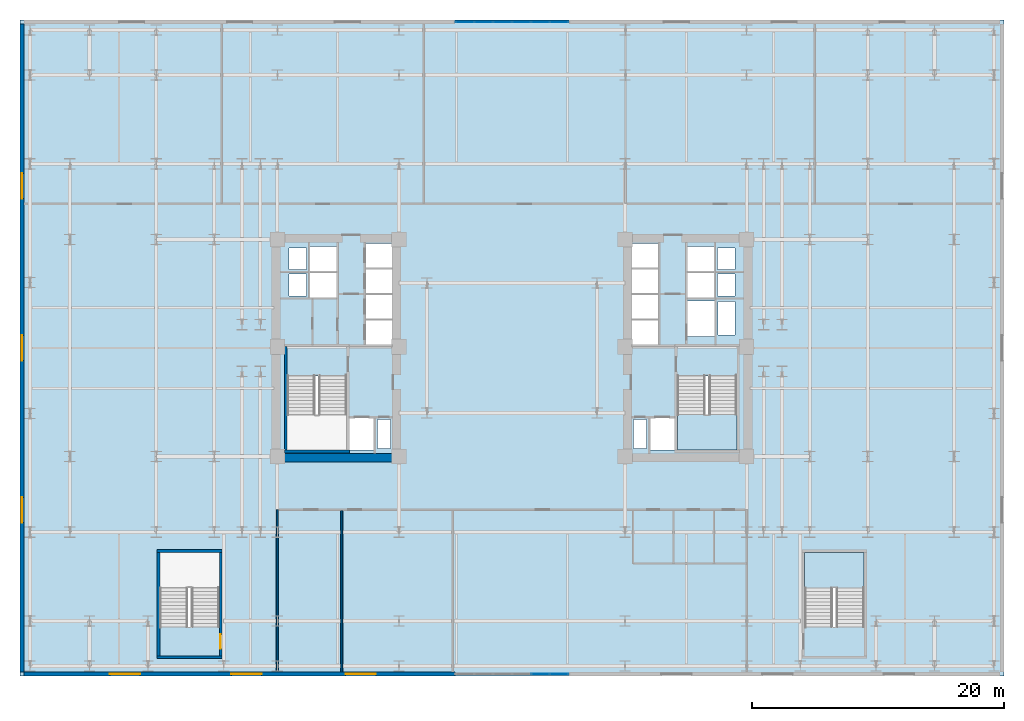
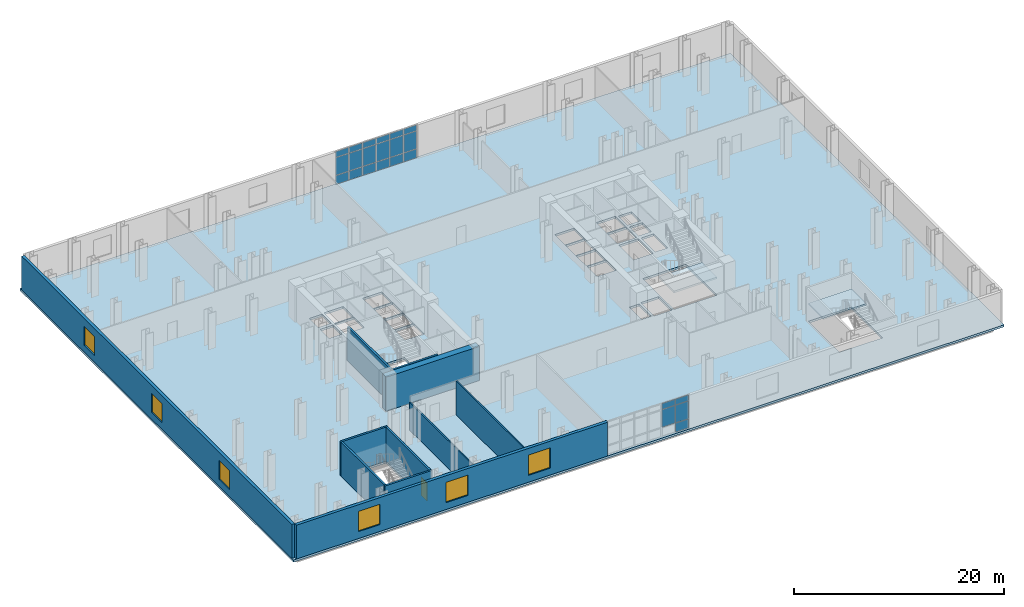
# One storey, part 7 of 13: 23 plates, 11 walls, 6 windows, 3 slabs, 1 door, 7 openings, 4 elements without a shape of their own.
"""IFC4 building model written with IfcOpenShell, lengths in metres."""

from ifc_helpers import new_model, si_unit, direction, frame, frame_2d, origin, origin_2d, place, context, subcontext, project, spatial, polyline, rectangle, outline, extrude, material, layer, layer_set, type_object, element, fill, aggregate, save


model = new_model("IFC4")

# Units and contexts
model_context = context("Model", 3, precision=1e-05, world=origin(), true_north=direction((0.0, 1.0)))
body_context = subcontext(model_context, "Body", "Model", "MODEL_VIEW")
ifc_project = project(units=[si_unit("LENGTHUNIT", "METRE"), si_unit("AREAUNIT", "SQUARE_METRE"), si_unit("VOLUMEUNIT", "CUBIC_METRE"), si_unit("PLANEANGLEUNIT", "RADIAN"), si_unit("MASSUNIT", "GRAM", prefix="KILO")], contexts=[model_context])

# Site, building, storey
site_placement = place(None, origin())
site = spatial("IfcSite", under=ifc_project, at=site_placement, CompositionType="ELEMENT")
building_placement = place(site_placement, origin())
building = spatial("IfcBuilding", under=site, at=building_placement, Name="Velakula Bourse", CompositionType="ELEMENT")
storey_placement = place(building_placement, frame((0.0, 0.0, 18.60009765625)))
storey = spatial("IfcBuildingStorey", under=building, at=storey_placement, Name="L04", CompositionType="ELEMENT", Elevation=18.60009765625)

# Curtain wall, plates
ifc_material_1 = material(Name="Anodised bronze architectural aluminium", Category="aluminium")
ifc_layer_1 = layer(ifc_material_1, 0.179931640625, Name="Anodised bronze architectural aluminium", Category="aluminium")
ifc_layer_set_1 = layer_set([ifc_layer_1], Name="Anodised bronze architectural aluminium")
curtain_wall_type = type_object("IfcCurtainWallType", Name="CW-PD1", PredefinedType="NOTDEFINED", material=ifc_layer_set_1)
curtain_wall_1_placement = place(storey_placement, origin())
curtain_wall_1 = element("IfcCurtainWall", 1, at=curtain_wall_1_placement, inside=storey, type_object=curtain_wall_type, Name="L04 South Station Galleria Curtain Wall 2", PredefinedType="NOTDEFINED")
ifc_material_2 = material(Name="Double-glazed solar-control Low-E glass", Category="glass")
ifc_layer_2 = layer(ifc_material_2, 0.02587890625, Name="Double-glazed solar-control Low-E glass", Category="glass")
ifc_layer_set_2 = layer_set([ifc_layer_2], Name="Double-glazed solar-control Low-E glass")
plate_type = type_object("IfcPlateType", Name="PNL-CW-PD1", PredefinedType="CURTAIN_PANEL", material=ifc_layer_set_2)
plate_1_placement = place(storey_placement, frame((3.735107421875, -25.840087890625, 0.06005859375), z_axis=(0.0, 0.0, 1.0), x_axis=(-1.0, 0.0, 0.0)))
plate_1 = element("IfcPlate", 2, at=plate_1_placement, type_object=plate_type, Name="CW-PD1 panel 1.1", PredefinedType="CURTAIN_PANEL", context=body_context, shape_type="SweptSolid", body=[
    extrude(rectangle(XDim=1.409912109375, YDim=0.028076171875, at=origin_2d()), origin(), (0.0, 0.0, 1.0), 1.010009765625),
])
plate_2_placement = place(storey_placement, frame((3.735107421875, -25.840087890625, 1.1298828125), z_axis=(0.0, 0.0, 1.0), x_axis=(-1.0, 0.0, 0.0)))
plate_2 = element("IfcPlate", 3, at=plate_2_placement, type_object=plate_type, Name="CW-PD1 panel 1.2", PredefinedType="CURTAIN_PANEL", context=body_context, shape_type="SweptSolid", body=[
    extrude(rectangle(XDim=1.409912109375, YDim=0.028076171875, at=origin_2d()), origin(), (0.0, 0.0, 1.0), 2.02001953125),
])
plate_3_placement = place(storey_placement, frame((3.735107421875, -25.840087890625, 3.2099609375), z_axis=(0.0, 0.0, 1.0), x_axis=(-1.0, 0.0, 0.0)))
plate_3 = element("IfcPlate", 4, at=plate_3_placement, type_object=plate_type, Name="CW-PD1 panel 1.3", PredefinedType="CURTAIN_PANEL", context=body_context, shape_type="SweptSolid", body=[
    extrude(rectangle(XDim=1.409912109375, YDim=0.028076171875, at=origin_2d()), origin(), (0.0, 0.0, 1.0), 0.659912109375),
])
plate_4_placement = place(storey_placement, frame((2.25, -25.840087890625, 1.1298828125), z_axis=(0.0, 0.0, 1.0), x_axis=(-1.0, 0.0, 0.0)))
plate_4 = element("IfcPlate", 5, at=plate_4_placement, type_object=plate_type, Name="CW-PD1 panel 2.2", PredefinedType="CURTAIN_PANEL", context=body_context, shape_type="SweptSolid", body=[
    extrude(rectangle(XDim=1.43994140625, YDim=0.028076171875, at=origin_2d()), origin(), (0.0, 0.0, 1.0), 2.02001953125),
])
plate_5_placement = place(storey_placement, frame((2.25, -25.840087890625, 3.2099609375), z_axis=(0.0, 0.0, 1.0), x_axis=(-1.0, 0.0, 0.0)))
plate_5 = element("IfcPlate", 6, at=plate_5_placement, type_object=plate_type, Name="CW-PD1 panel 2.3", PredefinedType="CURTAIN_PANEL", context=body_context, shape_type="SweptSolid", body=[
    extrude(rectangle(XDim=1.43994140625, YDim=0.028076171875, at=origin_2d()), origin(), (0.0, 0.0, 1.0), 0.659912109375),
])
aggregate(curtain_wall_1, [plate_1, plate_2, plate_3, plate_4, plate_5])

curtain_wall_2_placement = place(storey_placement, origin())
curtain_wall_2 = element("IfcCurtainWall", 7, at=curtain_wall_2_placement, inside=storey, type_object=curtain_wall_type, Name="L04 North Station Galleria Curtain Wall 2", PredefinedType="NOTDEFINED")
plate_6_placement = place(storey_placement, frame((-3.735107421875, 25.840087890625, 0.06005859375), z_axis=(0.0, 0.0, 1.0), x_axis=(1.0, 0.0, 0.0)))
plate_6 = element("IfcPlate", 8, at=plate_6_placement, type_object=plate_type, Name="CW-PD1 panel 1.1", PredefinedType="CURTAIN_PANEL", context=body_context, shape_type="SweptSolid", body=[
    extrude(rectangle(XDim=1.409912109375, YDim=0.028076171875, at=origin_2d()), origin(), (0.0, 0.0, 1.0), 1.010009765625),
])
plate_7_placement = place(storey_placement, frame((-3.735107421875, 25.840087890625, 1.1298828125), z_axis=(0.0, 0.0, 1.0), x_axis=(1.0, 0.0, 0.0)))
plate_7 = element("IfcPlate", 9, at=plate_7_placement, type_object=plate_type, Name="CW-PD1 panel 1.2", PredefinedType="CURTAIN_PANEL", context=body_context, shape_type="SweptSolid", body=[
    extrude(rectangle(XDim=1.409912109375, YDim=0.028076171875, at=origin_2d()), origin(), (0.0, 0.0, 1.0), 2.02001953125),
])
plate_8_placement = place(storey_placement, frame((-3.735107421875, 25.840087890625, 3.2099609375), z_axis=(0.0, 0.0, 1.0), x_axis=(1.0, 0.0, 0.0)))
plate_8 = element("IfcPlate", 10, at=plate_8_placement, type_object=plate_type, Name="CW-PD1 panel 1.3", PredefinedType="CURTAIN_PANEL", context=body_context, shape_type="SweptSolid", body=[
    extrude(rectangle(XDim=1.409912109375, YDim=0.028076171875, at=origin_2d()), origin(), (0.0, 0.0, 1.0), 0.659912109375),
])
plate_9_placement = place(storey_placement, frame((-2.25, 25.840087890625, 0.06005859375), z_axis=(0.0, 0.0, 1.0), x_axis=(1.0, 0.0, 0.0)))
plate_9 = element("IfcPlate", 11, at=plate_9_placement, type_object=plate_type, Name="CW-PD1 panel 2.1", PredefinedType="CURTAIN_PANEL", context=body_context, shape_type="SweptSolid", body=[
    extrude(rectangle(XDim=1.43994140625, YDim=0.028076171875, at=origin_2d()), origin(), (0.0, 0.0, 1.0), 1.010009765625),
])
plate_10_placement = place(storey_placement, frame((-2.25, 25.840087890625, 1.1298828125), z_axis=(0.0, 0.0, 1.0), x_axis=(1.0, 0.0, 0.0)))
plate_10 = element("IfcPlate", 12, at=plate_10_placement, type_object=plate_type, Name="CW-PD1 panel 2.2", PredefinedType="CURTAIN_PANEL", context=body_context, shape_type="SweptSolid", body=[
    extrude(rectangle(XDim=1.43994140625, YDim=0.028076171875, at=origin_2d()), origin(), (0.0, 0.0, 1.0), 2.02001953125),
])
plate_11_placement = place(storey_placement, frame((-2.25, 25.840087890625, 3.2099609375), z_axis=(0.0, 0.0, 1.0), x_axis=(1.0, 0.0, 0.0)))
plate_11 = element("IfcPlate", 13, at=plate_11_placement, type_object=plate_type, Name="CW-PD1 panel 2.3", PredefinedType="CURTAIN_PANEL", context=body_context, shape_type="SweptSolid", body=[
    extrude(rectangle(XDim=1.43994140625, YDim=0.028076171875, at=origin_2d()), origin(), (0.0, 0.0, 1.0), 0.659912109375),
])
plate_12_placement = place(storey_placement, frame((-0.75, 25.840087890625, 0.06005859375), z_axis=(0.0, 0.0, 1.0), x_axis=(1.0, 0.0, 0.0)))
plate_12 = element("IfcPlate", 14, at=plate_12_placement, type_object=plate_type, Name="CW-PD1 panel 3.1", PredefinedType="CURTAIN_PANEL", context=body_context, shape_type="SweptSolid", body=[
    extrude(rectangle(XDim=1.43994140625, YDim=0.028076171875, at=origin_2d()), origin(), (0.0, 0.0, 1.0), 1.010009765625),
])
plate_13_placement = place(storey_placement, frame((-0.75, 25.840087890625, 1.1298828125), z_axis=(0.0, 0.0, 1.0), x_axis=(1.0, 0.0, 0.0)))
plate_13 = element("IfcPlate", 15, at=plate_13_placement, type_object=plate_type, Name="CW-PD1 panel 3.2", PredefinedType="CURTAIN_PANEL", context=body_context, shape_type="SweptSolid", body=[
    extrude(rectangle(XDim=1.43994140625, YDim=0.028076171875, at=origin_2d()), origin(), (0.0, 0.0, 1.0), 2.02001953125),
])
plate_14_placement = place(storey_placement, frame((-0.75, 25.840087890625, 3.2099609375), z_axis=(0.0, 0.0, 1.0), x_axis=(1.0, 0.0, 0.0)))
plate_14 = element("IfcPlate", 16, at=plate_14_placement, type_object=plate_type, Name="CW-PD1 panel 3.3", PredefinedType="CURTAIN_PANEL", context=body_context, shape_type="SweptSolid", body=[
    extrude(rectangle(XDim=1.43994140625, YDim=0.028076171875, at=origin_2d()), origin(), (0.0, 0.0, 1.0), 0.659912109375),
])
plate_15_placement = place(storey_placement, frame((0.75, 25.840087890625, 0.06005859375), z_axis=(0.0, 0.0, 1.0), x_axis=(1.0, 0.0, 0.0)))
plate_15 = element("IfcPlate", 17, at=plate_15_placement, type_object=plate_type, Name="CW-PD1 panel 4.1", PredefinedType="CURTAIN_PANEL", context=body_context, shape_type="SweptSolid", body=[
    extrude(rectangle(XDim=1.43994140625, YDim=0.028076171875, at=origin_2d()), origin(), (0.0, 0.0, 1.0), 1.010009765625),
])
plate_16_placement = place(storey_placement, frame((0.75, 25.840087890625, 1.1298828125), z_axis=(0.0, 0.0, 1.0), x_axis=(1.0, 0.0, 0.0)))
plate_16 = element("IfcPlate", 18, at=plate_16_placement, type_object=plate_type, Name="CW-PD1 panel 4.2", PredefinedType="CURTAIN_PANEL", context=body_context, shape_type="SweptSolid", body=[
    extrude(rectangle(XDim=1.43994140625, YDim=0.028076171875, at=origin_2d()), origin(), (0.0, 0.0, 1.0), 2.02001953125),
])
plate_17_placement = place(storey_placement, frame((0.75, 25.840087890625, 3.2099609375), z_axis=(0.0, 0.0, 1.0), x_axis=(1.0, 0.0, 0.0)))
plate_17 = element("IfcPlate", 19, at=plate_17_placement, type_object=plate_type, Name="CW-PD1 panel 4.3", PredefinedType="CURTAIN_PANEL", context=body_context, shape_type="SweptSolid", body=[
    extrude(rectangle(XDim=1.43994140625, YDim=0.028076171875, at=origin_2d()), origin(), (0.0, 0.0, 1.0), 0.659912109375),
])
plate_18_placement = place(storey_placement, frame((2.25, 25.840087890625, 0.06005859375), z_axis=(0.0, 0.0, 1.0), x_axis=(1.0, 0.0, 0.0)))
plate_18 = element("IfcPlate", 20, at=plate_18_placement, type_object=plate_type, Name="CW-PD1 panel 5.1", PredefinedType="CURTAIN_PANEL", context=body_context, shape_type="SweptSolid", body=[
    extrude(rectangle(XDim=1.43994140625, YDim=0.028076171875, at=origin_2d()), origin(), (0.0, 0.0, 1.0), 1.010009765625),
])
plate_19_placement = place(storey_placement, frame((2.25, 25.840087890625, 1.1298828125), z_axis=(0.0, 0.0, 1.0), x_axis=(1.0, 0.0, 0.0)))
plate_19 = element("IfcPlate", 21, at=plate_19_placement, type_object=plate_type, Name="CW-PD1 panel 5.2", PredefinedType="CURTAIN_PANEL", context=body_context, shape_type="SweptSolid", body=[
    extrude(rectangle(XDim=1.43994140625, YDim=0.028076171875, at=origin_2d()), origin(), (0.0, 0.0, 1.0), 2.02001953125),
])
plate_20_placement = place(storey_placement, frame((2.25, 25.840087890625, 3.2099609375), z_axis=(0.0, 0.0, 1.0), x_axis=(1.0, 0.0, 0.0)))
plate_20 = element("IfcPlate", 22, at=plate_20_placement, type_object=plate_type, Name="CW-PD1 panel 5.3", PredefinedType="CURTAIN_PANEL", context=body_context, shape_type="SweptSolid", body=[
    extrude(rectangle(XDim=1.43994140625, YDim=0.028076171875, at=origin_2d()), origin(), (0.0, 0.0, 1.0), 0.659912109375),
])
plate_21_placement = place(storey_placement, frame((3.735107421875, 25.840087890625, 0.06005859375), z_axis=(0.0, 0.0, 1.0), x_axis=(1.0, 0.0, 0.0)))
plate_21 = element("IfcPlate", 23, at=plate_21_placement, type_object=plate_type, Name="CW-PD1 panel 6.1", PredefinedType="CURTAIN_PANEL", context=body_context, shape_type="SweptSolid", body=[
    extrude(rectangle(XDim=1.409912109375, YDim=0.028076171875, at=origin_2d()), origin(), (0.0, 0.0, 1.0), 1.010009765625),
])
plate_22_placement = place(storey_placement, frame((3.735107421875, 25.840087890625, 1.1298828125), z_axis=(0.0, 0.0, 1.0), x_axis=(1.0, 0.0, 0.0)))
plate_22 = element("IfcPlate", 24, at=plate_22_placement, type_object=plate_type, Name="CW-PD1 panel 6.2", PredefinedType="CURTAIN_PANEL", context=body_context, shape_type="SweptSolid", body=[
    extrude(rectangle(XDim=1.409912109375, YDim=0.028076171875, at=origin_2d()), origin(), (0.0, 0.0, 1.0), 2.02001953125),
])
plate_23_placement = place(storey_placement, frame((3.735107421875, 25.840087890625, 3.2099609375), z_axis=(0.0, 0.0, 1.0), x_axis=(1.0, 0.0, 0.0)))
plate_23 = element("IfcPlate", 25, at=plate_23_placement, type_object=plate_type, Name="CW-PD1 panel 6.3", PredefinedType="CURTAIN_PANEL", context=body_context, shape_type="SweptSolid", body=[
    extrude(rectangle(XDim=1.409912109375, YDim=0.028076171875, at=origin_2d()), origin(), (0.0, 0.0, 1.0), 0.659912109375),
])
aggregate(curtain_wall_2, [plate_6, plate_7, plate_8, plate_9, plate_10, plate_11, plate_12, plate_13, plate_14, plate_15, plate_16, plate_17, plate_18, plate_19, plate_20, plate_21, plate_22, plate_23])

# Slab
ifc_material_3 = material(Name="Concrete M50 (fck 50 MPa)", Category="concrete")
ifc_layer_3 = layer(ifc_material_3, 0.25, Name="Concrete M50 (fck 50 MPa)", Category="concrete")
ifc_layer_set_3 = layer_set([ifc_layer_3], Name="Concrete M50 (fck 50 MPa)")
slab_type_1 = type_object("IfcSlabType", Name="SLB-POD-250", PredefinedType="FLOOR", material=ifc_layer_set_3)
slab_1_placement = place(storey_placement, frame((0.0, 0.0, -0.25)))
element("IfcSlab", 26, at=slab_1_placement, inside=storey, type_object=slab_type_1, Name="L04 Suspended Structural Floor Slab", PredefinedType="FLOOR", context=body_context, shape_type="SweptSolid", body=[
    extrude(outline(polyline([(-39.0, -26.0), (39.0, -26.0), (39.0, 26.0), (-39.0, 26.0), (-39.0, -26.0)]), holes=[polyline([(-17.820068359375, -8.10009765625), (-13.10009765625, -8.10009765625), (-13.10009765625, -2.199951171875), (-17.820068359375, -2.199951171875), (-17.820068359375, -8.10009765625)]), polyline([(13.10009765625, -8.10009765625), (17.820068359375, -8.10009765625), (17.820068359375, -2.199951171875), (13.10009765625, -2.199951171875), (13.10009765625, -8.10009765625)]), polyline([(-27.919921875, -22.10009765625), (-23.199951171875, -22.10009765625), (-23.199951171875, -16.199951171875), (-27.919921875, -16.199951171875), (-27.919921875, -22.10009765625)]), polyline([(23.199951171875, -22.10009765625), (27.919921875, -22.10009765625), (27.919921875, -16.199951171875), (23.199951171875, -16.199951171875), (23.199951171875, -22.10009765625)]), polyline([(-12.89990234375, -8.10009765625), (-10.949951171875, -8.10009765625), (-10.949951171875, -5.550048828125), (-12.89990234375, -5.550048828125), (-12.89990234375, -8.10009765625)]), polyline([(10.949951171875, -8.10009765625), (12.89990234375, -8.10009765625), (12.89990234375, -5.550048828125), (10.949951171875, -5.550048828125), (10.949951171875, -8.10009765625)]), polyline([(13.89990234375, 0.919921875), (16.050048828125, 0.919921875), (16.050048828125, 3.719970703125), (13.89990234375, 3.719970703125), (13.89990234375, 0.919921875)]), polyline([(-10.679931640625, -7.97998046875), (-9.6201171875, -7.97998046875), (-9.6201171875, -5.669921875), (-10.679931640625, -5.669921875), (-10.679931640625, -7.97998046875)]), polyline([(-17.679931640625, 4.139892578125), (-16.27001953125, 4.139892578125), (-16.27001953125, 5.85009765625), (-17.679931640625, 5.85009765625), (-17.679931640625, 4.139892578125)]), polyline([(-17.679931640625, 6.2099609375), (-16.27001953125, 6.2099609375), (-16.27001953125, 7.919921875), (-17.679931640625, 7.919921875), (-17.679931640625, 6.2099609375)]), polyline([(9.6201171875, -7.97998046875), (10.679931640625, -7.97998046875), (10.679931640625, -5.669921875), (9.6201171875, -5.669921875), (9.6201171875, -7.97998046875)]), polyline([(16.27001953125, 4.139892578125), (17.679931640625, 4.139892578125), (17.679931640625, 5.85009765625), (16.27001953125, 5.85009765625), (16.27001953125, 4.139892578125)]), polyline([(16.27001953125, 6.2099609375), (17.679931640625, 6.2099609375), (17.679931640625, 7.919921875), (16.27001953125, 7.919921875), (16.27001953125, 6.2099609375)]), polyline([(16.320068359375, 1.0400390625), (17.679931640625, 1.0400390625), (17.679931640625, 3.699951171875), (16.320068359375, 3.699951171875), (16.320068359375, 1.0400390625)]), polyline([(-11.60009765625, 0.280029296875), (-9.5, 0.280029296875), (-9.5, 2.199951171875), (-11.60009765625, 2.199951171875), (-11.60009765625, 0.280029296875)]), polyline([(-11.60009765625, 2.31005859375), (-9.5, 2.31005859375), (-9.5, 4.22998046875), (-11.60009765625, 4.22998046875), (-11.60009765625, 2.31005859375)]), polyline([(-11.60009765625, 4.340087890625), (-9.5, 4.340087890625), (-9.5, 6.260009765625), (-11.60009765625, 6.260009765625), (-11.60009765625, 4.340087890625)]), polyline([(-11.60009765625, 6.3701171875), (-9.5, 6.3701171875), (-9.5, 8.2900390625), (-11.60009765625, 8.2900390625), (-11.60009765625, 6.3701171875)]), polyline([(9.5, 0.280029296875), (11.60009765625, 0.280029296875), (11.60009765625, 2.199951171875), (9.5, 2.199951171875), (9.5, 0.280029296875)]), polyline([(9.5, 2.31005859375), (11.60009765625, 2.31005859375), (11.60009765625, 4.22998046875), (9.5, 4.22998046875), (9.5, 2.31005859375)]), polyline([(9.5, 4.340087890625), (11.60009765625, 4.340087890625), (11.60009765625, 6.260009765625), (9.5, 6.260009765625), (9.5, 4.340087890625)]), polyline([(9.5, 6.3701171875), (11.60009765625, 6.3701171875), (11.60009765625, 8.2900390625), (9.5, 8.2900390625), (9.5, 6.3701171875)]), polyline([(-16.0, 4.02001953125), (-13.89990234375, 4.02001953125), (-13.89990234375, 5.969970703125), (-16.0, 5.969970703125), (-16.0, 4.02001953125)]), polyline([(-16.0, 6.090087890625), (-13.89990234375, 6.090087890625), (-13.89990234375, 8.0400390625), (-16.0, 8.0400390625), (-16.0, 6.090087890625)]), polyline([(13.89990234375, 4.02001953125), (16.0, 4.02001953125), (16.0, 5.969970703125), (13.89990234375, 5.969970703125), (13.89990234375, 4.02001953125)]), polyline([(13.89990234375, 6.090087890625), (16.0, 6.090087890625), (16.0, 8.0400390625), (13.89990234375, 8.0400390625), (13.89990234375, 6.090087890625)])]), origin(), (0.0, 0.0, 1.0), 0.25),
])

# Stair, slab
ifc_material_4 = material(Name="Concrete M45 (fck 45 MPa)", Category="concrete")
stair_type = type_object("IfcStairType", Name="STR-DOG-435", PredefinedType="HALF_TURN_STAIR", material=ifc_material_4)
stair_1_placement = place(storey_placement, origin())
stair_1 = element("IfcStair", 27, at=stair_1_placement, inside=storey, type_object=stair_type, Name="L04 East Core Exit Stair ST-E1", PredefinedType="HALF_TURN_STAIR")
ifc_layer_4 = layer(ifc_material_4, 0.199951171875, Name="Concrete M45 (fck 45 MPa)", Category="concrete")
ifc_layer_set_4 = layer_set([ifc_layer_4], Name="Concrete M45 (fck 45 MPa)")
slab_type_2 = type_object("IfcSlabType", Name="SLB-STAIR-LND-200", PredefinedType="LANDING", material=ifc_layer_set_4)
slab_2_placement = place(storey_placement, frame((0.0, 0.0, 1.89990234375)))
slab_2 = element("IfcSlab", 28, at=slab_2_placement, type_object=slab_type_2, Name="ST-E1 landing 1", PredefinedType="LANDING", context=body_context, shape_type="SweptSolid", body=[
    extrude(outline(polyline([(13.10009765625, -5.280029296875), (13.10009765625, -8.10009765625), (17.820068359375, -8.10009765625), (17.820068359375, -5.280029296875), (13.10009765625, -5.280029296875)])), origin(), (0.0, 0.0, 1.0), 0.199951171875),
])
aggregate(stair_1, [slab_2])

stair_2_placement = place(storey_placement, origin())
stair_2 = element("IfcStair", 29, at=stair_2_placement, inside=storey, type_object=stair_type, Name="L04 East Podium Exit Stair ST-P2", PredefinedType="HALF_TURN_STAIR")
slab_3_placement = place(storey_placement, frame((0.0, 0.0, 1.89990234375)))
slab_3 = element("IfcSlab", 30, at=slab_3_placement, type_object=slab_type_2, Name="ST-P2 landing 1", PredefinedType="LANDING", context=body_context, shape_type="SweptSolid", body=[
    extrude(outline(polyline([(27.919921875, -19.02001953125), (27.919921875, -16.199951171875), (23.199951171875, -16.199951171875), (23.199951171875, -19.02001953125), (27.919921875, -19.02001953125)])), origin(), (0.0, 0.0, 1.0), 0.199951171875),
])
aggregate(stair_2, [slab_3])

# Walls
ifc_layer_5 = layer(ifc_material_3, 0.2099609375, Name="Concrete M50 (fck 50 MPa)", Category="concrete")
ifc_layer_set_5 = layer_set([ifc_layer_5], Name="Concrete M50 (fck 50 MPa)")
wall_type_1 = type_object("IfcWallType", Name="WL-CORE-210", PredefinedType="SHEAR", material=ifc_layer_set_5)
wall_1_placement = place(storey_placement, frame((-17.925048828125, -8.10009765625, 0.0), z_axis=(0.0, 0.0, 1.0), x_axis=(0.0, 1.0, 0.0)))
element("IfcWall", 31, at=wall_1_placement, inside=storey, type_object=wall_type_1, Name="L04 Core W Stairwell Shear Wall OUT", PredefinedType="SHEAR", context=body_context, shape_type="SweptSolid", body=[
    extrude(rectangle(XDim=8.2001953125, YDim=0.2099609375, at=frame_2d((4.10009765625, 0.0))), origin(), (0.0, 0.0, 1.0), 3.949951171875),
])
wall_2_placement = place(storey_placement, frame((-18.030029296875, -8.205078125, 0.0), z_axis=(0.0, 0.0, 1.0), x_axis=(1.0, 0.0, 0.0)))
element("IfcWall", 32, at=wall_2_placement, inside=storey, type_object=wall_type_1, Name="L04 Core W Stairwell Shear Wall S", PredefinedType="SHEAR", context=body_context, shape_type="SweptSolid", body=[
    extrude(rectangle(XDim=5.14013671875, YDim=0.2099609375, at=frame_2d((2.570068359375, 0.0))), origin(), (0.0, 0.0, 1.0), 3.949951171875),
])
for number, where, z_axis, x_axis, name in (
    (33, (-28.1298828125, -24.5048828125, 0.0), (0.0, 0.0, 1.0), (1.0, 0.0, 0.0), "L04 Podium Stair ST-P1 Shear Wall S"),
    (34, (-28.1298828125, -16.094970703125, 0.0), (0.0, 0.0, 1.0), (1.0, 0.0, 0.0), "L04 Podium Stair ST-P1 Shear Wall N"),
):
    element("IfcWall", number, at=place(storey_placement, frame(where, z_axis=z_axis, x_axis=x_axis)), inside=storey, type_object=wall_type_1, Name=name, PredefinedType="SHEAR", context=body_context, shape_type="SweptSolid", body=[
        extrude(rectangle(XDim=5.139892578125, YDim=0.2099609375, at=frame_2d((2.56982421875, 0.0))), origin(), (0.0, 0.0, 1.0), 3.949951171875),
    ])
wall_3_placement = place(storey_placement, frame((-28.02490234375, -24.39990234375, 0.0), z_axis=(0.0, 0.0, 1.0), x_axis=(0.0, 1.0, 0.0)))
element("IfcWall", 35, at=wall_3_placement, inside=storey, type_object=wall_type_1, Name="L04 Podium Stair ST-P1 Shear Wall W", PredefinedType="SHEAR", context=body_context, shape_type="SweptSolid", body=[
    extrude(rectangle(XDim=8.199951171875, YDim=0.2099609375, at=frame_2d((4.10009765625, 0.0))), origin(), (0.0, 0.0, 1.0), 3.949951171875),
])

# Wall, opening, door
wall_4_placement = place(storey_placement, frame((-23.094970703125, -24.39990234375, 0.0), z_axis=(0.0, 0.0, 1.0), x_axis=(0.0, 1.0, 0.0)))
wall_4 = element("IfcWall", 36, at=wall_4_placement, inside=storey, type_object=wall_type_1, Name="L04 Podium Stair ST-P1 Shear Wall E", PredefinedType="SHEAR", context=body_context, shape_type="SweptSolid", body=[
    extrude(rectangle(XDim=8.199951171875, YDim=0.2099609375, at=frame_2d((4.10009765625, 0.0))), origin(), (0.0, 0.0, 1.0), 3.949951171875),
])
opening_1_placement = place(wall_4_placement, frame((0.550048828125, 0.0, 0.0)))
opening_1 = element("IfcOpeningElement", 37, at=opening_1_placement, cuts=wall_4, Name="Opening D-P1", PredefinedType="OPENING", context=body_context, shape_type="SweptSolid", body=[
    extrude(rectangle(XDim=1.14990234375, YDim=2.10009765625, at=frame_2d((0.574951171875, 1.050048828125))), frame((0.0, 0.114990234375, 0.0), z_axis=(0.0, -1.0, 0.0), x_axis=(1.0, 0.0, 0.0)), (0.0, 0.0, 1.0), 0.22998046875),
])
ifc_material_5 = material(Name="Galvanised painted hollow steel fire door", Category="steel")
door_type = type_object("IfcDoorType", Name="DR-FD120-1150x2100", OperationType="NOTDEFINED", PredefinedType="DOOR", material=ifc_material_5)
door_placement = place(opening_1_placement, origin())
door = element("IfcDoor", 38, at=door_placement, inside=storey, type_object=door_type, Name="L04 Stair ST-P1 Fire Door", OperationType="SINGLE_SWING_LEFT", OverallHeight=2.10009765625, OverallWidth=1.14990234375, PredefinedType="DOOR", context=body_context, shape_type="SweptSolid", body=[
    extrude(rectangle(XDim=1.14990234375, YDim=2.10009765625, at=frame_2d((0.574951171875, 1.050048828125))), frame((0.0, 0.02490234375, 0.0), z_axis=(0.0, -1.0, 0.0), x_axis=(1.0, 0.0, 0.0)), (0.0, 0.0, 1.0), 0.050048828125),
])
fill(opening_1, door)

# Wall
ifc_material_6 = material(Name="Concrete M70 (fck 70 MPa)", Category="concrete")
ifc_layer_6 = layer(ifc_material_6, 0.699951171875, Name="Concrete M70 (fck 70 MPa)", Category="concrete")
ifc_layer_set_6 = layer_set([ifc_layer_6], Name="Concrete M70 (fck 70 MPa)")
wall_type_2 = type_object("IfcWallType", Name="WL-CORE-700", PredefinedType="SHEAR", material=ifc_layer_set_6)
wall_5_placement = place(storey_placement, frame((-19.050048828125, -8.699951171875, 0.0), z_axis=(0.0, 0.0, 1.0), x_axis=(1.0, 0.0, 0.0)))
element("IfcWall", 39, at=wall_5_placement, inside=storey, type_object=wall_type_2, Name="L04 Core W Shear Wall S", PredefinedType="SHEAR", context=body_context, shape_type="SweptSolid", body=[
    extrude(rectangle(XDim=10.25, YDim=0.699951171875, at=frame_2d((5.125, 0.0))), origin(), (0.0, 0.0, 1.0), 3.949951171875),
])

# Wall, openings, windows
ifc_material_7 = material(Name="Red kilned clay facing brick masonry", Category="masonry")
ifc_layer_7 = layer(ifc_material_7, 0.320068359375, Name="Red kilned clay facing brick masonry", Category="masonry")
ifc_layer_set_7 = layer_set([ifc_layer_7], Name="Red kilned clay facing brick masonry")
wall_type_3 = type_object("IfcWallType", Name="WL-EXT-BRK-320", PredefinedType="STANDARD", material=ifc_layer_set_7)
wall_6_placement = place(storey_placement, frame((-4.5, -25.840087890625, 0.0), z_axis=(0.0, 0.0, 1.0), x_axis=(-1.0, 0.0, 0.0)))
wall_6 = element("IfcWall", 40, at=wall_6_placement, inside=storey, type_object=wall_type_3, Name="L04 South Brick Facade Wall 3", PredefinedType="STANDARD", context=body_context, shape_type="SweptSolid", body=[
    extrude(rectangle(XDim=34.179931640625, YDim=0.320068359375, at=frame_2d((17.08984375, 0.0))), origin(), (0.0, 0.0, 1.0), 3.929931640625),
])
opening_2_placement = place(wall_6_placement, frame((6.294921875, 0.0, 0.800048828125)))
opening_2 = element("IfcOpeningElement", 41, at=opening_2_placement, cuts=wall_6, Name="Opening W-06", PredefinedType="OPENING", context=body_context, shape_type="SweptSolid", body=[
    extrude(rectangle(XDim=2.39990234375, YDim=2.35009765625, at=frame_2d((1.199951171875, 1.175048828125))), frame((0.0, 0.169921875, 0.0), z_axis=(0.0, -1.0, 0.0), x_axis=(1.0, 0.0, 0.0)), (0.0, 0.0, 1.0), 0.340087890625),
])
opening_3_placement = place(wall_6_placement, frame((15.340087890625, 0.0, 0.800048828125)))
opening_3 = element("IfcOpeningElement", 42, at=opening_3_placement, cuts=wall_6, Name="Opening W-06", PredefinedType="OPENING", context=body_context, shape_type="SweptSolid", body=[
    extrude(rectangle(XDim=2.39990234375, YDim=2.35009765625, at=frame_2d((1.199951171875, 1.175048828125))), frame((0.0, 0.169921875, 0.0), z_axis=(0.0, -1.0, 0.0), x_axis=(1.0, 0.0, 0.0)), (0.0, 0.0, 1.0), 0.340087890625),
])
opening_4_placement = place(wall_6_placement, frame((24.985107421875, 0.0, 0.800048828125)))
opening_4 = element("IfcOpeningElement", 43, at=opening_4_placement, cuts=wall_6, Name="Opening W-06", PredefinedType="OPENING", context=body_context, shape_type="SweptSolid", body=[
    extrude(rectangle(XDim=2.39990234375, YDim=2.35009765625, at=frame_2d((1.199951171875, 1.175048828125))), frame((0.0, 0.169921875, 0.0), z_axis=(0.0, -1.0, 0.0), x_axis=(1.0, 0.0, 0.0)), (0.0, 0.0, 1.0), 0.340087890625),
])
window_type_1 = type_object("IfcWindowType", Name="WIN-POD-2400x2600", PartitioningType="DOUBLE_PANEL_VERTICAL", PredefinedType="WINDOW", material=ifc_material_2)
window_1_placement = place(opening_2_placement, origin())
window_1 = element("IfcWindow", 44, at=window_1_placement, inside=storey, type_object=window_type_1, Name="L04 Deep-Set Recessed Window 1", OverallHeight=2.35009765625, OverallWidth=2.39990234375, PartitioningType="DOUBLE_PANEL_VERTICAL", PredefinedType="WINDOW", context=body_context, shape_type="SweptSolid", body=[
    extrude(rectangle(XDim=2.39990234375, YDim=2.35009765625, at=frame_2d((1.199951171875, 1.175048828125))), frame((0.0, 0.030029296875, 0.0), z_axis=(0.0, -1.0, 0.0), x_axis=(1.0, 0.0, 0.0)), (0.0, 0.0, 1.0), 0.06005859375),
])
fill(opening_2, window_1)
window_2_placement = place(opening_3_placement, origin())
window_2 = element("IfcWindow", 45, at=window_2_placement, inside=storey, type_object=window_type_1, Name="L04 Deep-Set Recessed Window 2", OverallHeight=2.35009765625, OverallWidth=2.39990234375, PartitioningType="DOUBLE_PANEL_VERTICAL", PredefinedType="WINDOW", context=body_context, shape_type="SweptSolid", body=[
    extrude(rectangle(XDim=2.39990234375, YDim=2.35009765625, at=frame_2d((1.199951171875, 1.175048828125))), frame((0.0, 0.030029296875, 0.0), z_axis=(0.0, -1.0, 0.0), x_axis=(1.0, 0.0, 0.0)), (0.0, 0.0, 1.0), 0.06005859375),
])
fill(opening_3, window_2)
window_3_placement = place(opening_4_placement, origin())
window_3 = element("IfcWindow", 46, at=window_3_placement, inside=storey, type_object=window_type_1, Name="L04 Deep-Set Recessed Window 3", OverallHeight=2.35009765625, OverallWidth=2.39990234375, PartitioningType="DOUBLE_PANEL_VERTICAL", PredefinedType="WINDOW", context=body_context, shape_type="SweptSolid", body=[
    extrude(rectangle(XDim=2.39990234375, YDim=2.35009765625, at=frame_2d((1.199951171875, 1.175048828125))), frame((0.0, 0.030029296875, 0.0), z_axis=(0.0, -1.0, 0.0), x_axis=(1.0, 0.0, 0.0)), (0.0, 0.0, 1.0), 0.06005859375),
])
fill(opening_4, window_3)

wall_7_placement = place(storey_placement, frame((-38.840087890625, -25.679931640625, 0.0), z_axis=(0.0, 0.0, 1.0), x_axis=(0.0, 1.0, 0.0)))
wall_7 = element("IfcWall", 47, at=wall_7_placement, inside=storey, type_object=wall_type_3, Name="L04 W Brick Facade Wall", PredefinedType="STANDARD", context=body_context, shape_type="SweptSolid", body=[
    extrude(rectangle(XDim=51.35986328125, YDim=0.320068359375, at=frame_2d((25.679931640625, 0.0))), origin(), (0.0, 0.0, 1.0), 3.929931640625),
])
opening_5_placement = place(wall_7_placement, frame((11.840087890625, 0.0, 0.800048828125)))
opening_5 = element("IfcOpeningElement", 48, at=opening_5_placement, cuts=wall_7, Name="Opening W-07", PredefinedType="OPENING", context=body_context, shape_type="SweptSolid", body=[
    extrude(rectangle(XDim=2.0, YDim=2.199951171875, at=frame_2d((1.0, 1.10009765625))), frame((0.0, 0.169921875, 0.0), z_axis=(0.0, -1.0, 0.0), x_axis=(1.0, 0.0, 0.0)), (0.0, 0.0, 1.0), 0.340087890625),
])
opening_6_placement = place(wall_7_placement, frame((24.679931640625, 0.0, 0.800048828125)))
opening_6 = element("IfcOpeningElement", 49, at=opening_6_placement, cuts=wall_7, Name="Opening W-07", PredefinedType="OPENING", context=body_context, shape_type="SweptSolid", body=[
    extrude(rectangle(XDim=2.0, YDim=2.199951171875, at=frame_2d((1.0, 1.10009765625))), frame((0.0, 0.169921875, 0.0), z_axis=(0.0, -1.0, 0.0), x_axis=(1.0, 0.0, 0.0)), (0.0, 0.0, 1.0), 0.340087890625),
])
opening_7_placement = place(wall_7_placement, frame((37.52001953125, 0.0, 0.800048828125)))
opening_7 = element("IfcOpeningElement", 50, at=opening_7_placement, cuts=wall_7, Name="Opening W-07", PredefinedType="OPENING", context=body_context, shape_type="SweptSolid", body=[
    extrude(rectangle(XDim=2.0, YDim=2.199951171875, at=frame_2d((1.0, 1.10009765625))), frame((0.0, 0.169921875, 0.0), z_axis=(0.0, -1.0, 0.0), x_axis=(1.0, 0.0, 0.0)), (0.0, 0.0, 1.0), 0.340087890625),
])
window_type_2 = type_object("IfcWindowType", Name="WIN-POD-2000x2400", PartitioningType="DOUBLE_PANEL_VERTICAL", PredefinedType="WINDOW", material=ifc_material_2)
window_4_placement = place(opening_5_placement, origin())
window_4 = element("IfcWindow", 51, at=window_4_placement, inside=storey, type_object=window_type_2, Name="L04 Deep-Set Recessed Window 1", OverallHeight=2.199951171875, OverallWidth=2.0, PartitioningType="DOUBLE_PANEL_VERTICAL", PredefinedType="WINDOW", context=body_context, shape_type="SweptSolid", body=[
    extrude(rectangle(XDim=2.0, YDim=2.199951171875, at=frame_2d((1.0, 1.10009765625))), frame((0.0, 0.030029296875, 0.0), z_axis=(0.0, -1.0, 0.0), x_axis=(1.0, 0.0, 0.0)), (0.0, 0.0, 1.0), 0.06005859375),
])
fill(opening_5, window_4)
window_5_placement = place(opening_6_placement, origin())
window_5 = element("IfcWindow", 52, at=window_5_placement, inside=storey, type_object=window_type_2, Name="L04 Deep-Set Recessed Window 2", OverallHeight=2.199951171875, OverallWidth=2.0, PartitioningType="DOUBLE_PANEL_VERTICAL", PredefinedType="WINDOW", context=body_context, shape_type="SweptSolid", body=[
    extrude(rectangle(XDim=2.0, YDim=2.199951171875, at=frame_2d((1.0, 1.10009765625))), frame((0.0, 0.030029296875, 0.0), z_axis=(0.0, -1.0, 0.0), x_axis=(1.0, 0.0, 0.0)), (0.0, 0.0, 1.0), 0.06005859375),
])
fill(opening_6, window_5)
window_6_placement = place(opening_7_placement, origin())
window_6 = element("IfcWindow", 53, at=window_6_placement, inside=storey, type_object=window_type_2, Name="L04 Deep-Set Recessed Window 3", OverallHeight=2.199951171875, OverallWidth=2.0, PartitioningType="DOUBLE_PANEL_VERTICAL", PredefinedType="WINDOW", context=body_context, shape_type="SweptSolid", body=[
    extrude(rectangle(XDim=2.0, YDim=2.199951171875, at=frame_2d((1.0, 1.10009765625))), frame((0.0, 0.030029296875, 0.0), z_axis=(0.0, -1.0, 0.0), x_axis=(1.0, 0.0, 0.0)), (0.0, 0.0, 1.0), 0.06005859375),
])
fill(opening_7, window_6)

# Walls
ifc_material_8 = material(Name="Fire-rated double-layer gypsum drywall partition", Category="gypsum")
ifc_layer_8 = layer(ifc_material_8, 0.139892578125, Name="Fire-rated double-layer gypsum drywall partition", Category="gypsum")
ifc_layer_set_8 = layer_set([ifc_layer_8], Name="Fire-rated double-layer gypsum drywall partition")
wall_type_4 = type_object("IfcWallType", Name="WL-PART-140", PredefinedType="STANDARD", material=ifc_layer_set_8)
wall_8_placement = place(storey_placement, frame((-18.60009765625, -25.679931640625, 0.0), z_axis=(0.0, 0.0, 1.0), x_axis=(0.0, 1.0, 0.0)))
element("IfcWall", 54, at=wall_8_placement, inside=storey, type_object=wall_type_4, Name="L04 Interior Partition WL-POD-L04-SW-END", PredefinedType="STANDARD", context=body_context, shape_type="SweptSolid", body=[
    extrude(rectangle(XDim=12.85986328125, YDim=0.139892578125, at=frame_2d((6.429931640625, 0.0))), origin(), (0.0, 0.0, 1.0), 3.224853515625),
])
wall_9_placement = place(storey_placement, frame((-13.5, -25.679931640625, 0.0), z_axis=(0.0, 0.0, 1.0), x_axis=(0.0, 1.0, 0.0)))
element("IfcWall", 55, at=wall_9_placement, inside=storey, type_object=wall_type_4, Name="L04 Interior Partition WL-POD-L04-SD1", PredefinedType="STANDARD", context=body_context, shape_type="SweptSolid", body=[
    extrude(rectangle(XDim=12.7900390625, YDim=0.139892578125, at=frame_2d((6.39501953125, 0.0))), origin(), (0.0, 0.0, 1.0), 3.929931640625),
])

save(model, "model.ifc")
